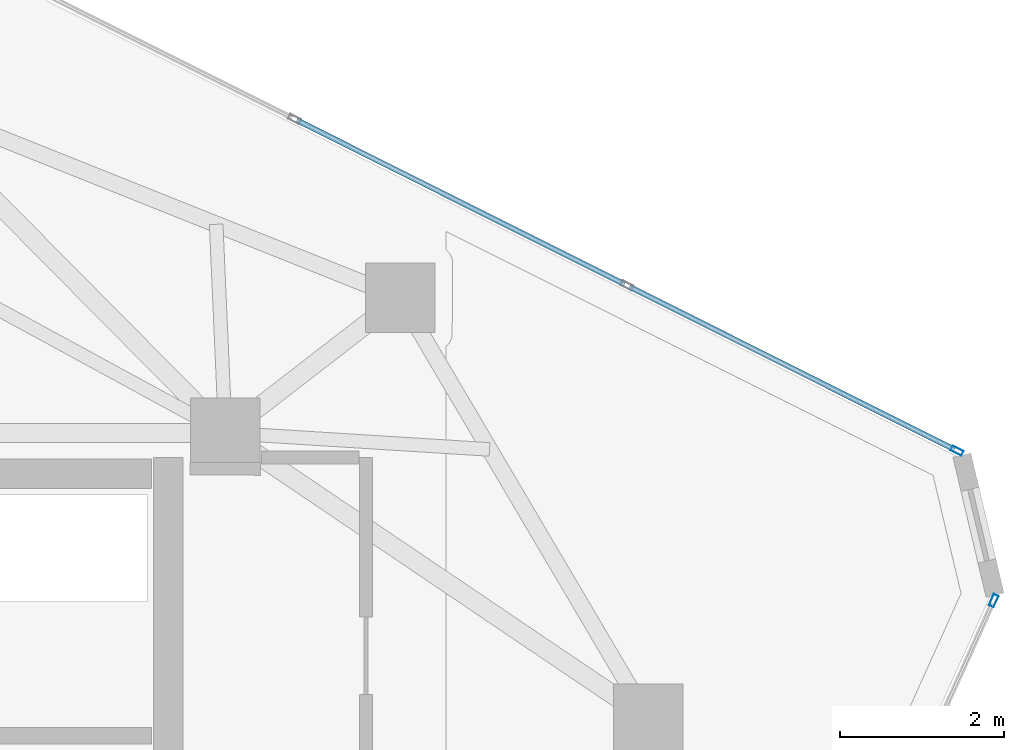
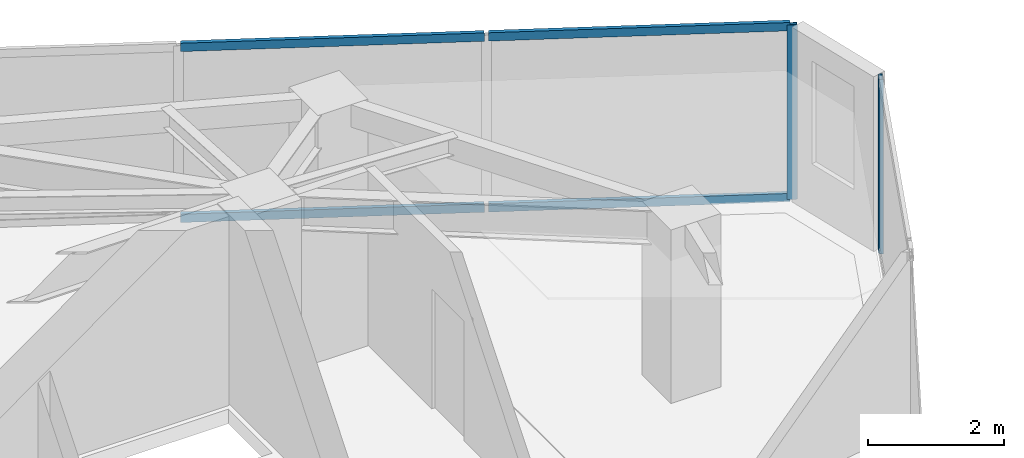
# One storey, part 15 of 20: 6 members, 2 elements without a shape of their own.
"""IFC4 building model written with IfcOpenShell, lengths in metres."""

from ifc_helpers import new_model, si_unit, direction, frame, origin, origin_2d, place, context, subcontext, project, spatial, hollow_rectangle, extrude, source, transform, mapped, material, layer, layer_set, material_profile, profile_set, type_object, type_shapes, element, aggregate, save


model = new_model("IFC4")

# Units and contexts
model_context = context("Model", 3, precision=1e-05, world=origin(), true_north=direction((0.0, 1.0)))
body_context = subcontext(model_context, "Body", "Model", "MODEL_VIEW")
ifc_project = project(units=[si_unit("LENGTHUNIT", "METRE"), si_unit("AREAUNIT", "SQUARE_METRE"), si_unit("VOLUMEUNIT", "CUBIC_METRE"), si_unit("PLANEANGLEUNIT", "RADIAN"), si_unit("MASSUNIT", "GRAM", prefix="KILO")], contexts=[model_context])

# Site, building, storey
site_placement = place(None, origin())
site = spatial("IfcSite", under=ifc_project, at=site_placement, CompositionType="ELEMENT")
building_placement = place(site_placement, origin())
building = spatial("IfcBuilding", under=site, at=building_placement, Name="Talar Marvaseh", CompositionType="ELEMENT")
storey_placement = place(building_placement, frame((0.0, 0.0, 278.199951171875)))
storey = spatial("IfcBuildingStorey", under=building, at=storey_placement, Name="L74", CompositionType="ELEMENT", Elevation=278.199951171875)

# Curtain wall, members
ifc_material = material(Name="Architectural Aluminium", Category="aluminium")
ifc_layer = layer(ifc_material, 0.179931640625)
ifc_layer_set = layer_set([ifc_layer], Name="Architectural Aluminium")
curtain_wall_type = type_object("IfcCurtainWallType", Name="Unitised High-Wind Sky Curtain Wall Z4", PredefinedType="NOTDEFINED", material=ifc_layer_set)
curtain_wall_1_placement = place(storey_placement, origin())
curtain_wall_1 = element("IfcCurtainWall", 1, at=curtain_wall_1_placement, inside=storey, type_object=curtain_wall_type, Name="L74 Unitised High-Wind Sky Curtain Wall Z4", PredefinedType="NOTDEFINED")
ifc_material_profile_1 = material_profile(ifc_material, hollow_rectangle(XDim=0.06494140625, YDim=0.14990234375, WallThickness=0.00390625, at=origin_2d()), Name="RHS150x65x4")
ifc_profile_set_1 = profile_set([ifc_material_profile_1], Name="Architectural Aluminium")
member_type_1 = type_object("IfcMemberType", Name="Unitised Curtain Wall Slim Transom RHS150x65x4", PredefinedType="USERDEFINED", material=ifc_profile_set_1)
shared_shape_1 = source(origin(), body_context, "Body", "SweptSolid", [
    extrude(hollow_rectangle(XDim=0.06494140625, YDim=0.14990234375, WallThickness=0.00390625, at=origin_2d()), origin(), (0.0, 0.0, 1.0), 4.447265625),
])
member_1_placement = place(storey_placement, frame((38.239013671875, 38.6884765625, 0.032470703125), z_axis=(0.894196510076, -0.44767466018, 0.0), x_axis=(0.44767466018, 0.894196510076, 0.0)))
member_1 = element("IfcMember", 2, at=member_1_placement, type_object=member_type_1, Name="CW-Z4 transom 3.1", ObjectType="TRANSOM", PredefinedType="USERDEFINED", context=body_context, shape_type="MappedRepresentation", body=[
    mapped(shared_shape_1, transform((0.0, 0.0, 0.0), x_axis=(1.0, 0.0, 0.0), y_axis=(0.0, 1.0, 0.0), z_axis=(0.0, 0.0, 1.0), scale=1.0)),
])
member_2_placement = place(storey_placement, frame((38.239013671875, 38.6884765625, 3.107666015625), z_axis=(0.894196510076, -0.44767466018, 0.0), x_axis=(0.44767466018, 0.894196510076, 0.0)))
member_2 = element("IfcMember", 3, at=member_2_placement, type_object=member_type_1, Name="CW-Z4 transom 3.2", ObjectType="TRANSOM", PredefinedType="USERDEFINED", context=body_context, shape_type="MappedRepresentation", body=[
    mapped(shared_shape_1, transform((0.0, 0.0, 0.0), x_axis=(1.0, 0.0, 0.0), y_axis=(0.0, 1.0, 0.0), z_axis=(0.0, 0.0, 1.0), scale=1.0)),
])
shared_shape_2 = source(origin(), body_context, "Body", "SweptSolid", [
    extrude(hollow_rectangle(XDim=0.06494140625, YDim=0.14990234375, WallThickness=0.00390625, at=origin_2d()), origin(), (0.0, 0.0, 1.0), 4.47998046875),
])
type_shapes(member_type_1, [shared_shape_1, shared_shape_2])
member_3_placement = place(storey_placement, frame((34.175048828125, 40.72314453125, 0.032470703125), z_axis=(0.894187275497, -0.447693105083, 0.0), x_axis=(0.447693105083, 0.894187275497, 0.0)))
member_3 = element("IfcMember", 4, at=member_3_placement, type_object=member_type_1, Name="CW-Z4 transom 2.1", ObjectType="TRANSOM", PredefinedType="USERDEFINED", context=body_context, shape_type="MappedRepresentation", body=[
    mapped(shared_shape_2, transform((0.0, 0.0, 0.0), x_axis=(1.0, 0.0, 0.0), y_axis=(0.0, 1.0, 0.0), z_axis=(0.0, 0.0, 1.0), scale=1.0)),
])
member_4_placement = place(storey_placement, frame((34.175048828125, 40.72314453125, 3.107666015625), z_axis=(0.894187275497, -0.447693105083, 0.0), x_axis=(0.447693105083, 0.894187275497, 0.0)))
member_4 = element("IfcMember", 5, at=member_4_placement, type_object=member_type_1, Name="CW-Z4 transom 2.2", ObjectType="TRANSOM", PredefinedType="USERDEFINED", context=body_context, shape_type="MappedRepresentation", body=[
    mapped(shared_shape_2, transform((0.0, 0.0, 0.0), x_axis=(1.0, 0.0, 0.0), y_axis=(0.0, 1.0, 0.0), z_axis=(0.0, 0.0, 1.0), scale=1.0)),
])
ifc_material_profile_2 = material_profile(ifc_material, hollow_rectangle(XDim=0.06494140625, YDim=0.14990234375, WallThickness=0.00390625, at=origin_2d()), Name="RHS150x65x4")
ifc_profile_set_2 = profile_set([ifc_material_profile_2], Name="Architectural Aluminium")
member_type_2 = type_object("IfcMemberType", Name="Unitised Curtain Wall Slim Mullion RHS150x65x4", PredefinedType="MULLION", material=ifc_profile_set_2)
shared_shape_3 = source(origin(), body_context, "Body", "SweptSolid", [
    extrude(hollow_rectangle(XDim=0.06494140625, YDim=0.14990234375, WallThickness=0.00390625, at=origin_2d()), origin(), (0.0, 0.0, 1.0), 3.14013671875),
])
type_shapes(member_type_2, [shared_shape_3])
member_5_placement = place(storey_placement, frame((42.244873046875, 36.682861328125, 0.0), z_axis=(0.0, 0.0, 1.0), x_axis=(0.447694654763, 0.894186499617, 0.0)))
member_5 = element("IfcMember", 6, at=member_5_placement, type_object=member_type_2, Name="CW-Z4 mullion 4", PredefinedType="MULLION", context=body_context, shape_type="MappedRepresentation", body=[
    mapped(shared_shape_3, transform((0.0, 0.0, 0.0), x_axis=(1.0, 0.0, 0.0), y_axis=(0.0, 1.0, 0.0), z_axis=(0.0, 0.0, 1.0), scale=1.0)),
])
aggregate(curtain_wall_1, [member_5, member_3, member_4, member_1, member_2])

# Curtain wall, member
curtain_wall_2_placement = place(storey_placement, origin())
curtain_wall_2 = element("IfcCurtainWall", 7, at=curtain_wall_2_placement, inside=storey, type_object=curtain_wall_type, Name="L74 Unitised High-Wind Sky Curtain Wall Z4", PredefinedType="NOTDEFINED")
member_6_placement = place(storey_placement, frame((42.693359375, 34.849609375, 0.0), z_axis=(0.0, 0.0, 1.0), x_axis=(0.9116986288, -0.410859599187, 0.0)))
member_6 = element("IfcMember", 8, at=member_6_placement, type_object=member_type_2, Name="CW-Z4 mullion 1", PredefinedType="MULLION", context=body_context, shape_type="MappedRepresentation", body=[
    mapped(shared_shape_3, transform((0.0, 0.0, 0.0), x_axis=(1.0, 0.0, 0.0), y_axis=(0.0, 1.0, 0.0), z_axis=(0.0, 0.0, 1.0), scale=1.0)),
])
aggregate(curtain_wall_2, [member_6])

save(model, "model.ifc")
